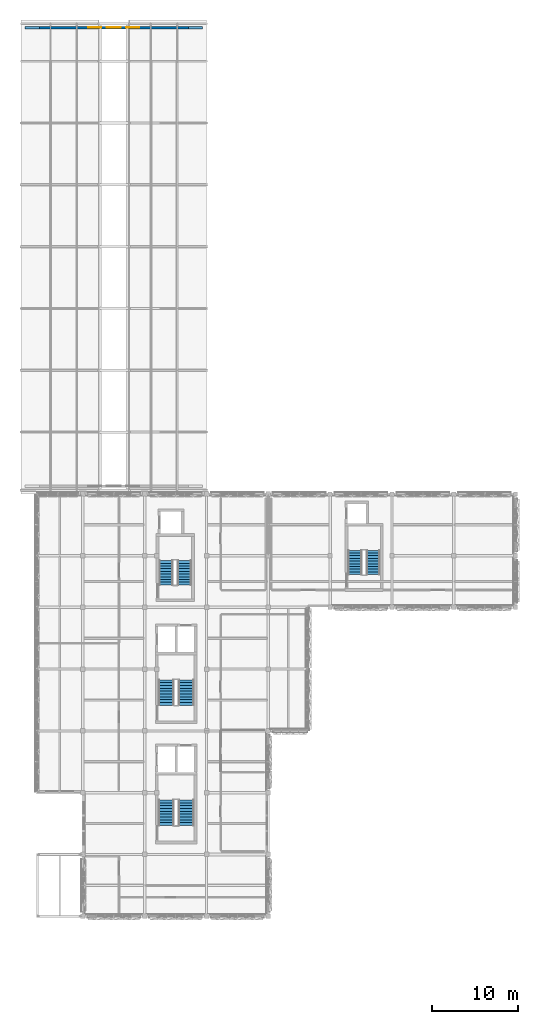
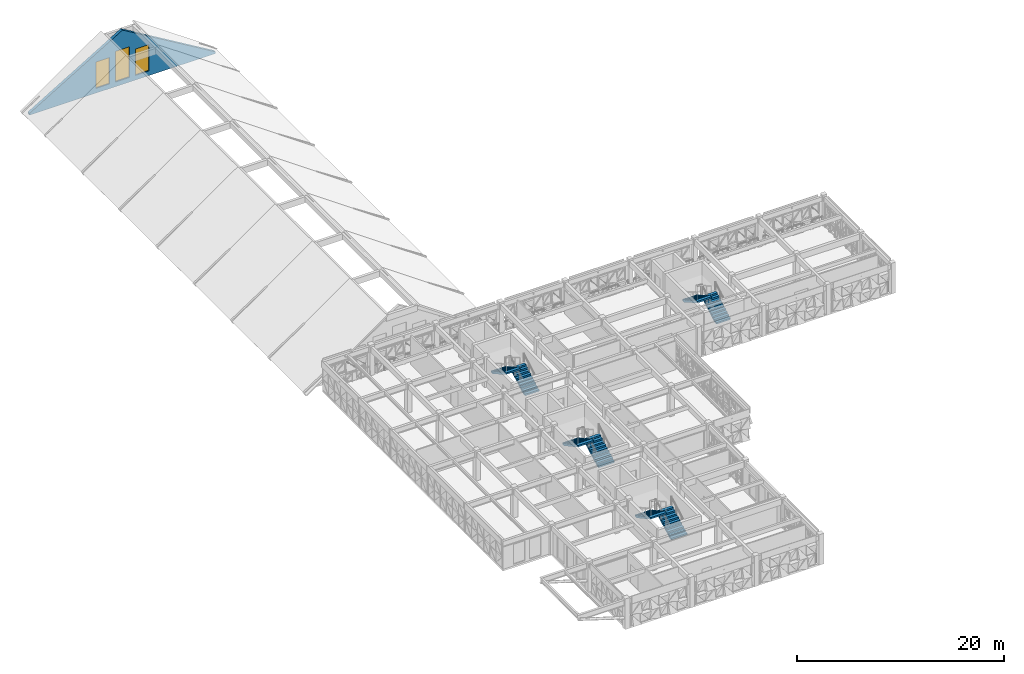
# One storey, part 34 of 48: 8 stair flights, 3 windows, 1 wall, 3 openings, 4 elements without a shape of their own.
"""IFC4 building model written with IfcOpenShell, lengths in metres."""

from ifc_helpers import new_model, si_unit, direction, frame, frame_2d, origin, place, context, subcontext, project, spatial, polyline, rectangle, outline, extrude, material, layer, layer_set, type_object, element, fill, aggregate, save


model = new_model("IFC4")

# Units and contexts
model_context = context("Model", 3, precision=1e-05, world=origin(), true_north=direction((0.0, 1.0)))
body_context = subcontext(model_context, "Body", "Model", "MODEL_VIEW")
ifc_project = project(units=[si_unit("LENGTHUNIT", "METRE"), si_unit("AREAUNIT", "SQUARE_METRE"), si_unit("VOLUMEUNIT", "CUBIC_METRE"), si_unit("PLANEANGLEUNIT", "RADIAN"), si_unit("MASSUNIT", "GRAM", prefix="KILO")], contexts=[model_context])

# Site, building, storey
site_placement = place(None, origin())
site = spatial("IfcSite", under=ifc_project, at=site_placement, CompositionType="ELEMENT")
building_placement = place(site_placement, origin())
building = spatial("IfcBuilding", under=site, at=building_placement, Name="Alvorim Cloister Faculty of Sciences", CompositionType="ELEMENT")
storey_placement = place(building_placement, frame((0.0, 0.0, 19.35009765625)))
storey = spatial("IfcBuildingStorey", under=building, at=storey_placement, Name="L05", CompositionType="ELEMENT", Elevation=19.35009765625)

# Wall, openings, windows
ifc_material_1 = material(Name="Precast Concrete C40", Category="concrete")
ifc_layer = layer(ifc_material_1, 0.320068359375)
ifc_layer_set = layer_set([ifc_layer], Name="Precast Concrete C40")
wall_type = type_object("IfcWallType", Name="WL-EXT-PC-320", PredefinedType="SOLIDWALL", material=ifc_layer_set)
wall_placement = place(storey_placement, frame((0.449951171875, 110.699951171875, 0.0), z_axis=(0.0, 0.0, 1.0), x_axis=(1.0, 0.0, 0.0)))
wall = element("IfcWall", 1, at=wall_placement, inside=storey, type_object=wall_type, Name="Learning Commons North Gothic Gable Tympanum WL-GBL-0249", PredefinedType="SOLIDWALL", context=body_context, shape_type="SweptSolid", body=[
    extrude(outline(polyline([(0.0, 0.0), (20.699951171875, 0.0), (20.699951171875, 0.199951171875), (10.35009765625, 6.388427734375), (0.0, 0.199951171875), (0.0, 0.0)])), frame((0.0, 0.16015625, 0.0), z_axis=(0.0, -1.0, 0.0), x_axis=(1.0, 0.0, 0.0)), (0.0, 0.0, 1.0), 0.320068359375),
])
opening_1_placement = place(wall_placement, frame((7.39990234375, 0.0, 0.550048828125)))
opening_1 = element("IfcOpeningElement", 2, at=opening_1_placement, cuts=wall, Name="Opening WA-02", PredefinedType="OPENING", context=body_context, shape_type="SweptSolid", body=[
    extrude(rectangle(XDim=1.5, YDim=3.10009765625, at=frame_2d((0.75, 1.550048828125))), frame((0.0, 0.171875, 0.0), z_axis=(0.0, -1.0, 0.0), x_axis=(1.0, 0.0, 0.0)), (0.0, 0.0, 1.0), 0.343994140625),
])
opening_2_placement = place(wall_placement, frame((9.550048828125, 0.0, 0.550048828125)))
opening_2 = element("IfcOpeningElement", 3, at=opening_2_placement, cuts=wall, Name="Opening WA-01", PredefinedType="OPENING", context=body_context, shape_type="SweptSolid", body=[
    extrude(rectangle(XDim=1.60009765625, YDim=3.60009765625, at=frame_2d((0.800048828125, 1.800048828125))), frame((0.0, 0.171875, 0.0), z_axis=(0.0, -1.0, 0.0), x_axis=(1.0, 0.0, 0.0)), (0.0, 0.0, 1.0), 0.343994140625),
])
opening_3_placement = place(wall_placement, frame((11.800048828125, 0.0, 0.550048828125)))
opening_3 = element("IfcOpeningElement", 4, at=opening_3_placement, cuts=wall, Name="Opening WA-02", PredefinedType="OPENING", context=body_context, shape_type="SweptSolid", body=[
    extrude(rectangle(XDim=1.5, YDim=3.10009765625, at=frame_2d((0.75, 1.550048828125))), frame((0.0, 0.171875, 0.0), z_axis=(0.0, -1.0, 0.0), x_axis=(1.0, 0.0, 0.0)), (0.0, 0.0, 1.0), 0.343994140625),
])
ifc_material_2 = material(Name="Double Low-E Laminated Glass", Category="glass")
window_type_1 = type_object("IfcWindowType", Name="WN-ARCH-1500x3100", PartitioningType="SINGLE_PANEL", PredefinedType="WINDOW", material=ifc_material_2)
window_1_placement = place(opening_1_placement, origin())
window_1 = element("IfcWindow", 5, at=window_1_placement, inside=storey, type_object=window_type_1, Name="Learning Commons North Lancet Clerestory WN-0272", OverallHeight=3.10009765625, OverallWidth=1.5, PartitioningType="SINGLE_PANEL", PredefinedType="WINDOW", context=body_context, shape_type="SweptSolid", body=[
    extrude(rectangle(XDim=1.5, YDim=3.10009765625, at=frame_2d((0.75, 1.550048828125))), frame((0.0, 0.030029296875, 0.0), z_axis=(0.0, -1.0, 0.0), x_axis=(1.0, 0.0, 0.0)), (0.0, 0.0, 1.0), 0.06005859375),
])
fill(opening_1, window_1)
window_2_placement = place(opening_3_placement, origin())
window_2 = element("IfcWindow", 6, at=window_2_placement, inside=storey, type_object=window_type_1, Name="Learning Commons North Lancet Clerestory WN-0274", OverallHeight=3.10009765625, OverallWidth=1.5, PartitioningType="SINGLE_PANEL", PredefinedType="WINDOW", context=body_context, shape_type="SweptSolid", body=[
    extrude(rectangle(XDim=1.5, YDim=3.10009765625, at=frame_2d((0.75, 1.550048828125))), frame((0.0, 0.030029296875, 0.0), z_axis=(0.0, -1.0, 0.0), x_axis=(1.0, 0.0, 0.0)), (0.0, 0.0, 1.0), 0.06005859375),
])
fill(opening_3, window_2)
window_type_2 = type_object("IfcWindowType", Name="WN-ARCH-1600x3600", PartitioningType="SINGLE_PANEL", PredefinedType="WINDOW", material=ifc_material_2)
window_3_placement = place(opening_2_placement, origin())
window_3 = element("IfcWindow", 7, at=window_3_placement, inside=storey, type_object=window_type_2, Name="Learning Commons North Lancet Clerestory WN-0273", OverallHeight=3.60009765625, OverallWidth=1.60009765625, PartitioningType="SINGLE_PANEL", PredefinedType="WINDOW", context=body_context, shape_type="SweptSolid", body=[
    extrude(rectangle(XDim=1.60009765625, YDim=3.60009765625, at=frame_2d((0.800048828125, 1.800048828125))), frame((0.0, 0.030029296875, 0.0), z_axis=(0.0, -1.0, 0.0), x_axis=(1.0, 0.0, 0.0)), (0.0, 0.0, 1.0), 0.06005859375),
])
fill(opening_2, window_3)

# Stair, stair flights
ifc_material_3 = material(Name="Concrete C40", Category="concrete")
stair_type_1 = type_object("IfcStairType", Name="STR-ST-01-1780x3600", PredefinedType="HALF_TURN_STAIR", material=ifc_material_3)
stair_1_placement = place(storey_placement, origin())
stair_1 = element("IfcStair", 8, at=stair_1_placement, inside=storey, type_object=stair_type_1, Name="L05 Enclosed Smoke-Proof Stair ST-01", PredefinedType="HALF_TURN_STAIR")
stair_flight_type_1 = type_object("IfcStairFlightType", Name="FLT-ST-01-1780x1800", PredefinedType="STRAIGHT", material=ifc_material_3)
stair_flight_1_placement = place(storey_placement, frame((19.22998046875, 17.780029296875, 0.0), z_axis=(0.0, 0.0, 1.0), x_axis=(0.0, 1.0, 0.0)))
stair_flight_1 = element("IfcStairFlight", 9, at=stair_flight_1_placement, type_object=stair_flight_type_1, Name="ST-01 flight 1", NumberOfRisers=10, NumberOfTreads=9, PredefinedType="STRAIGHT", RiserHeight=0.18, TreadLength=0.33, context=body_context, shape_type="SweptSolid", body=[
    extrude(outline(polyline([(0.333984375, 0.0), (2.969970703125, 1.437744140625), (2.969970703125, 1.800048828125), (2.969970703125, 1.6201171875), (2.639892578125, 1.6201171875), (2.639892578125, 1.43994140625), (2.31005859375, 1.43994140625), (2.31005859375, 1.260009765625), (1.97998046875, 1.260009765625), (1.97998046875, 1.080078125), (1.64990234375, 1.080078125), (1.64990234375, 0.89990234375), (1.320068359375, 0.89990234375), (1.320068359375, 0.719970703125), (0.989990234375, 0.719970703125), (0.989990234375, 0.5400390625), (0.659912109375, 0.5400390625), (0.659912109375, 0.360107421875), (0.330078125, 0.360107421875), (0.330078125, 0.179931640625), (0.0, 0.179931640625), (0.0, 0.0), (0.333984375, 0.0)])), frame((0.0, 0.89013671875, 0.0), z_axis=(0.0, -1.0, 0.0), x_axis=(1.0, 0.0, 0.0)), (0.0, 0.0, 1.0), 1.780029296875),
])
stair_flight_2_placement = place(storey_placement, frame((16.889892578125, 20.75, 1.7998046875), z_axis=(0.0, 0.0, 1.0), x_axis=(0.0, -1.0, 0.0)))
stair_flight_2 = element("IfcStairFlight", 10, at=stair_flight_2_placement, type_object=stair_flight_type_1, Name="ST-01 flight 2", NumberOfRisers=10, NumberOfTreads=9, PredefinedType="STRAIGHT", RiserHeight=0.18, TreadLength=0.33, context=body_context, shape_type="SweptSolid", body=[
    extrude(outline(polyline([(0.333984375, 0.0), (2.969970703125, 1.437744140625), (2.969970703125, 1.800048828125), (2.969970703125, 1.6201171875), (2.639892578125, 1.6201171875), (2.639892578125, 1.43994140625), (2.31005859375, 1.43994140625), (2.31005859375, 1.260009765625), (1.97998046875, 1.260009765625), (1.97998046875, 1.080078125), (1.64990234375, 1.080078125), (1.64990234375, 0.89990234375), (1.320068359375, 0.89990234375), (1.320068359375, 0.719970703125), (0.989990234375, 0.719970703125), (0.989990234375, 0.5400390625), (0.659912109375, 0.5400390625), (0.659912109375, 0.360107421875), (0.330078125, 0.360107421875), (0.330078125, 0.179931640625), (0.0, 0.179931640625), (0.0, 0.0), (0.333984375, 0.0)])), frame((0.0, 0.89013671875, 0.0), z_axis=(0.0, -1.0, 0.0), x_axis=(1.0, 0.0, 0.0)), (0.0, 0.0, 1.0), 1.780029296875),
])
aggregate(stair_1, [stair_flight_1, stair_flight_2])

stair_type_2 = type_object("IfcStairType", Name="STR-ST-02-1780x3600", PredefinedType="HALF_TURN_STAIR", material=ifc_material_3)
stair_2_placement = place(storey_placement, origin())
stair_2 = element("IfcStair", 11, at=stair_2_placement, inside=storey, type_object=stair_type_2, Name="L05 Enclosed Smoke-Proof Stair ST-02", PredefinedType="HALF_TURN_STAIR")
stair_flight_type_2 = type_object("IfcStairFlightType", Name="FLT-ST-02-1780x1800", PredefinedType="STRAIGHT", material=ifc_material_3)
stair_flight_3_placement = place(storey_placement, frame((19.22998046875, 31.780029296875, 0.0), z_axis=(0.0, 0.0, 1.0), x_axis=(0.0, 1.0, 0.0)))
stair_flight_3 = element("IfcStairFlight", 12, at=stair_flight_3_placement, type_object=stair_flight_type_2, Name="ST-02 flight 1", NumberOfRisers=10, NumberOfTreads=9, PredefinedType="STRAIGHT", RiserHeight=0.18, TreadLength=0.33, context=body_context, shape_type="SweptSolid", body=[
    extrude(outline(polyline([(0.333984375, 0.0), (2.969970703125, 1.437744140625), (2.969970703125, 1.800048828125), (2.969970703125, 1.6201171875), (2.639892578125, 1.6201171875), (2.639892578125, 1.43994140625), (2.31005859375, 1.43994140625), (2.31005859375, 1.260009765625), (1.97998046875, 1.260009765625), (1.97998046875, 1.080078125), (1.64990234375, 1.080078125), (1.64990234375, 0.89990234375), (1.320068359375, 0.89990234375), (1.320068359375, 0.719970703125), (0.989990234375, 0.719970703125), (0.989990234375, 0.5400390625), (0.659912109375, 0.5400390625), (0.659912109375, 0.360107421875), (0.330078125, 0.360107421875), (0.330078125, 0.179931640625), (0.0, 0.179931640625), (0.0, 0.0), (0.333984375, 0.0)])), frame((0.0, 0.89013671875, 0.0), z_axis=(0.0, -1.0, 0.0), x_axis=(1.0, 0.0, 0.0)), (0.0, 0.0, 1.0), 1.780029296875),
])
stair_flight_4_placement = place(storey_placement, frame((16.889892578125, 34.75, 1.7998046875), z_axis=(0.0, 0.0, 1.0), x_axis=(0.0, -1.0, 0.0)))
stair_flight_4 = element("IfcStairFlight", 13, at=stair_flight_4_placement, type_object=stair_flight_type_2, Name="ST-02 flight 2", NumberOfRisers=10, NumberOfTreads=9, PredefinedType="STRAIGHT", RiserHeight=0.18, TreadLength=0.33, context=body_context, shape_type="SweptSolid", body=[
    extrude(outline(polyline([(0.333984375, 0.0), (2.969970703125, 1.437744140625), (2.969970703125, 1.800048828125), (2.969970703125, 1.6201171875), (2.639892578125, 1.6201171875), (2.639892578125, 1.43994140625), (2.31005859375, 1.43994140625), (2.31005859375, 1.260009765625), (1.97998046875, 1.260009765625), (1.97998046875, 1.080078125), (1.64990234375, 1.080078125), (1.64990234375, 0.89990234375), (1.320068359375, 0.89990234375), (1.320068359375, 0.719970703125), (0.989990234375, 0.719970703125), (0.989990234375, 0.5400390625), (0.659912109375, 0.5400390625), (0.659912109375, 0.360107421875), (0.330078125, 0.360107421875), (0.330078125, 0.179931640625), (0.0, 0.179931640625), (0.0, 0.0), (0.333984375, 0.0)])), frame((0.0, 0.89013671875, 0.0), z_axis=(0.0, -1.0, 0.0), x_axis=(1.0, 0.0, 0.0)), (0.0, 0.0, 1.0), 1.780029296875),
])
aggregate(stair_2, [stair_flight_3, stair_flight_4])

stair_type_3 = type_object("IfcStairType", Name="STR-ST-03-1600x3600", PredefinedType="HALF_TURN_STAIR", material=ifc_material_3)
stair_3_placement = place(storey_placement, origin())
stair_3 = element("IfcStair", 14, at=stair_3_placement, inside=storey, type_object=stair_type_3, Name="L05 Enclosed Smoke-Proof Stair ST-03", PredefinedType="HALF_TURN_STAIR")
stair_flight_type_3 = type_object("IfcStairFlightType", Name="FLT-ST-03-1600x1800", PredefinedType="STRAIGHT", material=ifc_material_3)
stair_flight_5_placement = place(storey_placement, frame((19.02001953125, 45.800048828125, 0.0), z_axis=(0.0, 0.0, 1.0), x_axis=(0.0, 1.0, 0.0)))
stair_flight_5 = element("IfcStairFlight", 15, at=stair_flight_5_placement, type_object=stair_flight_type_3, Name="ST-03 flight 1", NumberOfRisers=10, NumberOfTreads=9, PredefinedType="STRAIGHT", RiserHeight=0.18, TreadLength=0.315, context=body_context, shape_type="SweptSolid", body=[
    extrude(outline(polyline([(0.322265625, 0.0), (2.8349609375, 1.435791015625), (2.8349609375, 1.800048828125), (2.8349609375, 1.6201171875), (2.52001953125, 1.6201171875), (2.52001953125, 1.43994140625), (2.205078125, 1.43994140625), (2.205078125, 1.260009765625), (1.889892578125, 1.260009765625), (1.889892578125, 1.080078125), (1.574951171875, 1.080078125), (1.574951171875, 0.89990234375), (1.260009765625, 0.89990234375), (1.260009765625, 0.719970703125), (0.945068359375, 0.719970703125), (0.945068359375, 0.5400390625), (0.6298828125, 0.5400390625), (0.6298828125, 0.360107421875), (0.31494140625, 0.360107421875), (0.31494140625, 0.179931640625), (0.0, 0.179931640625), (0.0, 0.0), (0.322265625, 0.0)])), frame((0.0, 0.800048828125, 0.0), z_axis=(0.0, -1.0, 0.0), x_axis=(1.0, 0.0, 0.0)), (0.0, 0.0, 1.0), 1.60009765625),
])
stair_flight_6_placement = place(storey_placement, frame((16.89990234375, 48.635009765625, 1.7998046875), z_axis=(0.0, 0.0, 1.0), x_axis=(0.0, -1.0, 0.0)))
stair_flight_6 = element("IfcStairFlight", 16, at=stair_flight_6_placement, type_object=stair_flight_type_3, Name="ST-03 flight 2", NumberOfRisers=10, NumberOfTreads=9, PredefinedType="STRAIGHT", RiserHeight=0.18, TreadLength=0.315, context=body_context, shape_type="SweptSolid", body=[
    extrude(outline(polyline([(0.322265625, 0.0), (2.8349609375, 1.435791015625), (2.8349609375, 1.800048828125), (2.8349609375, 1.6201171875), (2.52001953125, 1.6201171875), (2.52001953125, 1.43994140625), (2.205078125, 1.43994140625), (2.205078125, 1.260009765625), (1.889892578125, 1.260009765625), (1.889892578125, 1.080078125), (1.574951171875, 1.080078125), (1.574951171875, 0.89990234375), (1.260009765625, 0.89990234375), (1.260009765625, 0.719970703125), (0.945068359375, 0.719970703125), (0.945068359375, 0.5400390625), (0.6298828125, 0.5400390625), (0.6298828125, 0.360107421875), (0.31494140625, 0.360107421875), (0.31494140625, 0.179931640625), (0.0, 0.179931640625), (0.0, 0.0), (0.322265625, 0.0)])), frame((0.0, 0.800048828125, 0.0), z_axis=(0.0, -1.0, 0.0), x_axis=(1.0, 0.0, 0.0)), (0.0, 0.0, 1.0), 1.60009765625),
])
aggregate(stair_3, [stair_flight_5, stair_flight_6])

stair_type_4 = type_object("IfcStairType", Name="STR-ST-04-1600x3600", PredefinedType="HALF_TURN_STAIR", material=ifc_material_3)
stair_4_placement = place(storey_placement, origin())
stair_4 = element("IfcStair", 17, at=stair_4_placement, inside=storey, type_object=stair_type_4, Name="L05 Enclosed Smoke-Proof Stair ST-04", PredefinedType="HALF_TURN_STAIR")
stair_flight_type_4 = type_object("IfcStairFlightType", Name="FLT-ST-04-1600x1800", PredefinedType="STRAIGHT", material=ifc_material_3)
stair_flight_7_placement = place(storey_placement, frame((41.02001953125, 47.0, 0.0), z_axis=(0.0, 0.0, 1.0), x_axis=(0.0, 1.0, 0.0)))
stair_flight_7 = element("IfcStairFlight", 18, at=stair_flight_7_placement, type_object=stair_flight_type_4, Name="ST-04 flight 1", NumberOfRisers=10, NumberOfTreads=9, PredefinedType="STRAIGHT", RiserHeight=0.18, TreadLength=0.315, context=body_context, shape_type="SweptSolid", body=[
    extrude(outline(polyline([(0.322265625, 0.0), (2.8349609375, 1.435791015625), (2.8349609375, 1.800048828125), (2.8349609375, 1.6201171875), (2.52001953125, 1.6201171875), (2.52001953125, 1.43994140625), (2.205078125, 1.43994140625), (2.205078125, 1.260009765625), (1.889892578125, 1.260009765625), (1.889892578125, 1.080078125), (1.574951171875, 1.080078125), (1.574951171875, 0.89990234375), (1.260009765625, 0.89990234375), (1.260009765625, 0.719970703125), (0.945068359375, 0.719970703125), (0.945068359375, 0.5400390625), (0.6298828125, 0.5400390625), (0.6298828125, 0.360107421875), (0.31494140625, 0.360107421875), (0.31494140625, 0.179931640625), (0.0, 0.179931640625), (0.0, 0.0), (0.322265625, 0.0)])), frame((0.0, 0.800048828125, 0.0), z_axis=(0.0, -1.0, 0.0), x_axis=(1.0, 0.0, 0.0)), (0.0, 0.0, 1.0), 1.60009765625),
])
stair_flight_8_placement = place(storey_placement, frame((38.89990234375, 49.8349609375, 1.7998046875), z_axis=(0.0, 0.0, 1.0), x_axis=(0.0, -1.0, 0.0)))
stair_flight_8 = element("IfcStairFlight", 19, at=stair_flight_8_placement, type_object=stair_flight_type_4, Name="ST-04 flight 2", NumberOfRisers=10, NumberOfTreads=9, PredefinedType="STRAIGHT", RiserHeight=0.18, TreadLength=0.315, context=body_context, shape_type="SweptSolid", body=[
    extrude(outline(polyline([(0.322265625, 0.0), (2.8349609375, 1.435791015625), (2.8349609375, 1.800048828125), (2.8349609375, 1.6201171875), (2.52001953125, 1.6201171875), (2.52001953125, 1.43994140625), (2.205078125, 1.43994140625), (2.205078125, 1.260009765625), (1.889892578125, 1.260009765625), (1.889892578125, 1.080078125), (1.574951171875, 1.080078125), (1.574951171875, 0.89990234375), (1.260009765625, 0.89990234375), (1.260009765625, 0.719970703125), (0.945068359375, 0.719970703125), (0.945068359375, 0.5400390625), (0.6298828125, 0.5400390625), (0.6298828125, 0.360107421875), (0.31494140625, 0.360107421875), (0.31494140625, 0.179931640625), (0.0, 0.179931640625), (0.0, 0.0), (0.322265625, 0.0)])), frame((0.0, 0.800048828125, 0.0), z_axis=(0.0, -1.0, 0.0), x_axis=(1.0, 0.0, 0.0)), (0.0, 0.0, 1.0), 1.60009765625),
])
aggregate(stair_4, [stair_flight_7, stair_flight_8])

save(model, "model.ifc")
